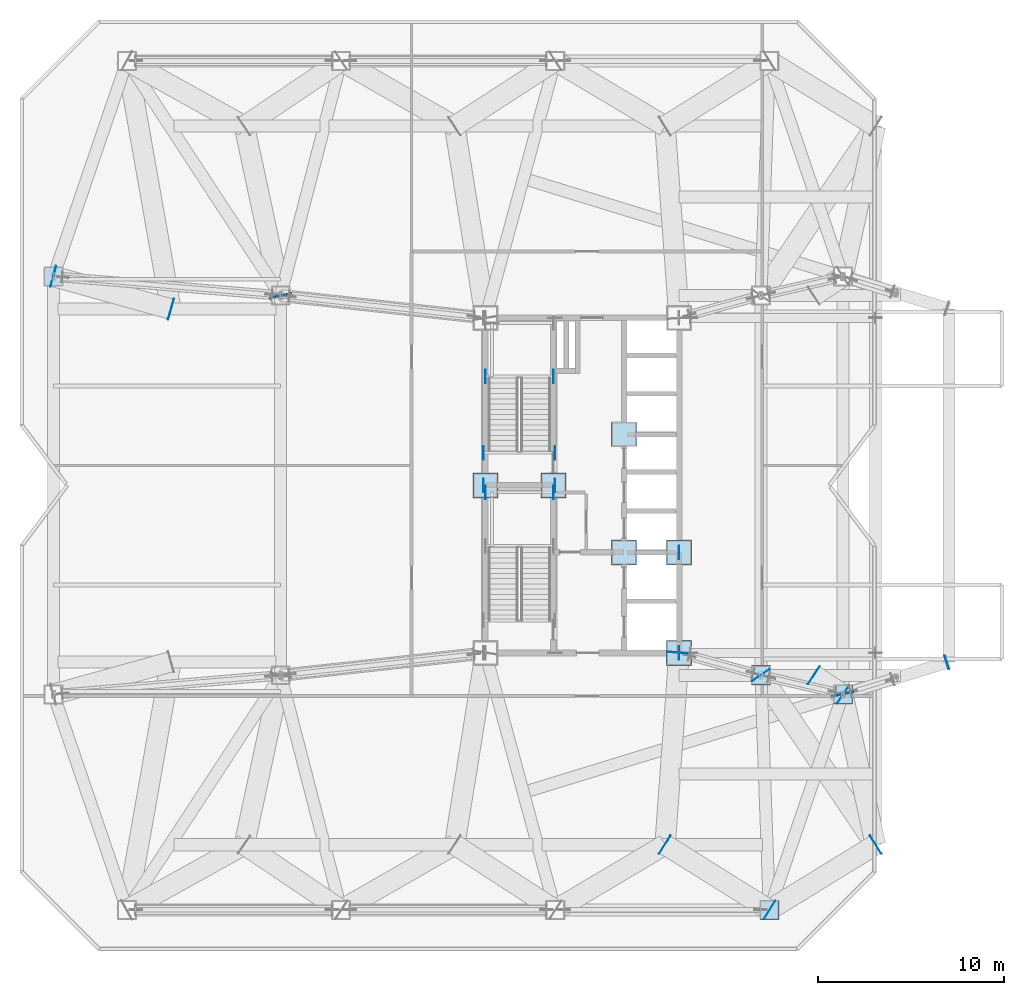
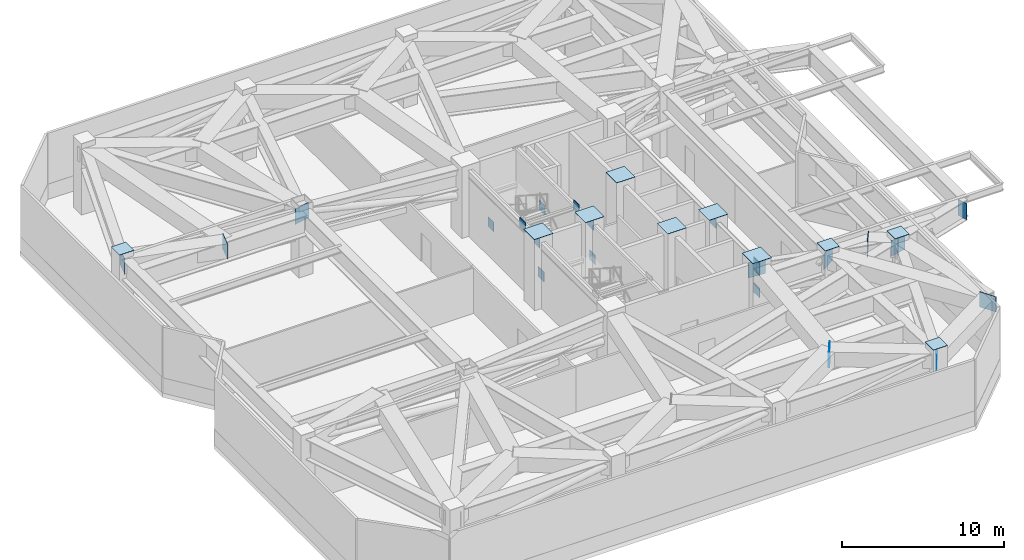
# One storey, part 8 of 18: 36 plates.
"""IFC4 building model written with IfcOpenShell, lengths in metres."""

from ifc_helpers import new_model, si_unit, direction, frame, origin, origin_2d, place, context, subcontext, project, spatial, rectangle, extrude, material, layer, layer_set, type_object, element, save


model = new_model("IFC4")

# Units and contexts
model_context = context("Model", 3, precision=1e-05, world=origin(), true_north=direction((0.0, 1.0)))
body_context = subcontext(model_context, "Body", "Model", "MODEL_VIEW")
ifc_project = project(units=[si_unit("LENGTHUNIT", "METRE"), si_unit("AREAUNIT", "SQUARE_METRE"), si_unit("VOLUMEUNIT", "CUBIC_METRE"), si_unit("PLANEANGLEUNIT", "RADIAN"), si_unit("MASSUNIT", "GRAM", prefix="KILO")], contexts=[model_context])

# Site, building, storey
site_placement = place(None, origin())
site = spatial("IfcSite", under=ifc_project, at=site_placement, CompositionType="ELEMENT")
building_placement = place(site_placement, origin())
building = spatial("IfcBuilding", under=site, at=building_placement, Name="Khamvora Tower", CompositionType="ELEMENT")
storey_placement = place(building_placement, frame((0.0, 0.0, 84.39990234375)))
storey = spatial("IfcBuildingStorey", under=building, at=storey_placement, Name="L21", CompositionType="ELEMENT", Elevation=84.39990234375)

# Plates
ifc_material_1 = material(Name="Steel S355", Category="steel")
ifc_layer_1 = layer(ifc_material_1, 0.02490234375)
ifc_layer_set_1 = layer_set([ifc_layer_1], Name="Steel S355")
plate_type_1 = type_object("IfcPlateType", Name="PL-CAP-25", PredefinedType="SHEET", material=ifc_layer_set_1)
for number, where, z_axis, x_axis, name in (
    (1, (32.64990234375, 28.0, 5.374755859375), (0.0, 0.0, 1.0), (1.0, 0.0, 0.0), "L21 hollow section steel end cap plate 0008"),
    (2, (39.39990234375, 19.0, 5.374755859375), (0.0, 0.0, 1.0), (1.0, 0.0, 0.0), "L21 hollow section steel end cap plate 0014"),
    (3, (29.0, 28.0, 5.374755859375), (0.0, 0.0, 1.0), (1.0, 0.0, 0.0), "L21 hollow section steel end cap plate 0020"),
    (4, (36.449951171875, 24.39990234375, 5.374755859375), (0.0, 0.0, 1.0), (1.0, 0.0, 0.0), "L21 hollow section steel end cap plate 0026"),
    (5, (39.39990234375, 24.39990234375, 5.374755859375), (0.0, 0.0, 1.0), (1.0, 0.0, 0.0), "L21 hollow section steel end cap plate 0032"),
    (6, (36.449951171875, 30.75, 5.374755859375), (0.0, 0.0, 1.0), (1.0, 0.0, 0.0), "L21 hollow section steel end cap plate 0044"),
):
    element("IfcPlate", number, at=place(storey_placement, frame(where, z_axis=z_axis, x_axis=x_axis)), inside=storey, type_object=plate_type_1, Name=name, PredefinedType="SHEET", context=body_context, shape_type="SweptSolid", body=[
        extrude(rectangle(XDim=1.330078125, YDim=1.330078125, at=origin_2d()), origin(), (0.0, 0.0, 1.0), 0.02490234375),
    ])
for number, where, z_axis, x_axis, name in (
    (7, (44.25, 5.199951171875, 5.374755859375), (0.0, 0.0, 1.0), (1.0, 0.0, 0.0), "L21 hollow section steel end cap plate 0095"),
    (8, (5.800048828125, 39.22998046875, 5.374755859375), (0.0, 0.0, 1.0), (1.0, 0.0, 0.0), "L21 hollow section steel end cap plate 0119"),
    (9, (48.199951171875, 16.77001953125, 5.374755859375), (0.0, 0.0, 1.0), (1.0, 0.0, 0.0), "L21 hollow section steel end cap plate 0123"),
    (10, (43.800048828125, 17.800048828125, 5.374755859375), (0.0, 0.0, 1.0), (1.0, 0.0, 0.0), "L21 hollow section steel end cap plate 0141"),
):
    element("IfcPlate", number, at=place(storey_placement, frame(where, z_axis=z_axis, x_axis=x_axis)), inside=storey, type_object=plate_type_1, Name=name, PredefinedType="SHEET", context=body_context, shape_type="SweptSolid", body=[
        extrude(rectangle(XDim=1.030029296875, YDim=1.030029296875, at=origin_2d()), origin(), (0.0, 0.0, 1.0), 0.02490234375),
    ])
for number, where, z_axis, x_axis, name in (
    (11, (44.260986328125, 5.193115234375, 3.85009765625), (0.0, 0.0, 1.0), (-0.848001848748, 0.529993268373, 0.0), "L21 hollow section steel end cap plate 0701"),
    (12, (38.638916015625, 8.70703125, 3.85009765625), (0.0, 0.0, 1.0), (-0.848001848748, 0.529993268373, 0.0), "L21 hollow section steel end cap plate 0702"),
    (13, (39.40087890625, 19.011962890625, 3.85009765625), (0.0, 0.0, 1.0), (-0.072628958755, -0.997359029813, 0.0), "L21 hollow section steel end cap plate 0703"),
    (14, (49.9609375, 8.70703125, 3.85009765625), (0.0, 0.0, 1.0), (0.852174741303, 0.523257307914, 0.0), "L21 hollow section steel end cap plate 0704"),
    (15, (48.197021484375, 16.787109375, 3.85009765625), (0.0, 0.0, 1.0), (0.211802426717, -0.977312504799, 0.0), "L21 hollow section steel end cap plate 0705"),
    (16, (43.79296875, 17.81005859375, 3.85009765625), (0.0, 0.0, 1.0), (0.559945083702, -0.828529723811, 0.0), "L21 hollow section steel end cap plate 0706"),
    (17, (18.0029296875, 38.18798828125, 3.85009765625), (0.0, 0.0, 1.0), (-0.209533234422, 0.977801525706, 0.0), "L21 hollow section steel end cap plate 0710"),
    (18, (5.7880859375, 39.22802734375, 3.85009765625), (0.0, 0.0, 1.0), (0.963518428124, -0.267641997202, 0.0), "L21 hollow section steel end cap plate 0722"),
    (19, (12.112060546875, 37.471923828125, 3.85009765625), (0.0, 0.0, 1.0), (0.963518428124, -0.267641997202, 0.0), "L21 hollow section steel end cap plate 0723"),
    (20, (48.2099609375, 16.76806640625, 3.85009765625), (0.0, 0.0, 1.0), (-0.834116943728, 0.551587639625, 0.0), "L21 hollow section steel end cap plate 0724"),
    (21, (46.639892578125, 17.806884765625, 3.85009765625), (0.0, 0.0, 1.0), (-0.834116943728, 0.551587639625, 0.0), "L21 hollow section steel end cap plate 0725"),
):
    element("IfcPlate", number, at=place(storey_placement, frame(where, z_axis=z_axis, x_axis=x_axis)), inside=storey, type_object=plate_type_1, Name=name, PredefinedType="SHEET", context=body_context, shape_type="SweptSolid", body=[
        extrude(rectangle(XDim=0.02490234375, YDim=1.159912109375, at=origin_2d()), origin(), (0.0, 0.0, 1.0), 1.159912109375),
    ])
ifc_material_2 = material(Name="Steel S460", Category="steel")
ifc_layer_2 = layer(ifc_material_2, 0.034912109375)
ifc_layer_set_2 = layer_set([ifc_layer_2], Name="Steel S460")
plate_type_2 = type_object("IfcPlateType", Name="PL-EMB-35", PredefinedType="SHEET", material=ifc_layer_set_2)
for number, where, z_axis, x_axis, name in (
    (22, (29.0, 27.6298828125, 2.00927734375), (0.0, 0.0, 1.0), (1.0, 0.0, 0.0), "L21 core shear wall cast-in embed plate 0620"),
    (23, (32.64990234375, 27.6298828125, 2.00927734375), (0.0, 0.0, 1.0), (1.0, 0.0, 0.0), "L21 core shear wall cast-in embed plate 0621"),
    (24, (29.0, 33.85498046875, 2.00927734375), (0.0, 0.0, 1.0), (1.0, 0.0, 0.0), "L21 core shear wall cast-in embed plate 0622"),
    (25, (32.64990234375, 33.85498046875, 2.00927734375), (0.0, 0.0, 1.0), (1.0, 0.0, 0.0), "L21 core shear wall cast-in embed plate 0623"),
    (26, (39.39990234375, 19.0, 4.27001953125), (0.0, 0.0, 1.0), (1.0, 0.0, 0.0), "L21 core shear wall cast-in embed plate 0631"),
    (27, (39.39990234375, 19.0, 2.39990234375), (0.0, 0.0, 1.0), (1.0, 0.0, 0.0), "L21 core shear wall cast-in embed plate 0632"),
    (28, (39.39990234375, 19.0, 4.1533203125), (0.0, 0.0, 1.0), (1.0, 0.0, 0.0), "L21 core shear wall cast-in embed plate 0637"),
    (29, (28.89990234375, 28.0, 4.35400390625), (0.0, 0.0, 1.0), (1.0, 0.0, 0.0), "L21 core shear wall cast-in embed plate 0640"),
    (30, (32.72998046875, 28.0, 4.35400390625), (0.0, 0.0, 1.0), (1.0, 0.0, 0.0), "L21 core shear wall cast-in embed plate 0643"),
    (31, (39.39990234375, 19.0, 4.35400390625), (0.0, 0.0, 1.0), (1.0, 0.0, 0.0), "L21 core shear wall cast-in embed plate 0645"),
    (32, (39.39990234375, 24.39990234375, 4.35400390625), (0.0, 0.0, 1.0), (1.0, 0.0, 0.0), "L21 core shear wall cast-in embed plate 0646"),
    (33, (28.89990234375, 29.75, 4.494140625), (0.0, 0.0, 1.0), (1.0, 0.0, 0.0), "L21 core shear wall cast-in embed plate 0650"),
    (34, (32.72998046875, 29.75, 4.494140625), (0.0, 0.0, 1.0), (1.0, 0.0, 0.0), "L21 core shear wall cast-in embed plate 0651"),
    (35, (39.39990234375, 19.0, 4.0703125), (0.0, 0.0, 1.0), (1.0, 0.0, 0.0), "L21 core shear wall cast-in embed plate 0653"),
):
    element("IfcPlate", number, at=place(storey_placement, frame(where, z_axis=z_axis, x_axis=x_axis)), inside=storey, type_object=plate_type_2, Name=name, PredefinedType="SHEET", context=body_context, shape_type="SweptSolid", body=[
        extrude(rectangle(XDim=0.034912109375, YDim=0.719970703125, at=origin_2d()), origin(), (0.0, 0.0, 1.0), 0.719970703125),
    ])
ifc_layer_3 = layer(ifc_material_2, 0.044921875)
ifc_layer_set_3 = layer_set([ifc_layer_3], Name="Steel S460")
plate_type_3 = type_object("IfcPlateType", Name="PLT-CAP-45", PredefinedType="SHEET", material=ifc_layer_set_3)
plate_placement = place(storey_placement, frame((53.784912109375, 18.489990234375, 3.5302734375), z_axis=(0.0, 0.0, 1.0), x_axis=(0.955960137678, 0.293496533489, 0.0)))
element("IfcPlate", 36, at=plate_placement, inside=storey, type_object=plate_type_3, Name="L21 transfer box end cap plate E1", PredefinedType="SHEET", context=body_context, shape_type="SweptSolid", body=[
    extrude(rectangle(XDim=0.044921875, YDim=0.75, at=origin_2d()), origin(), (0.0, 0.0, 1.0), 1.199951171875),
])

save(model, "model.ifc")
